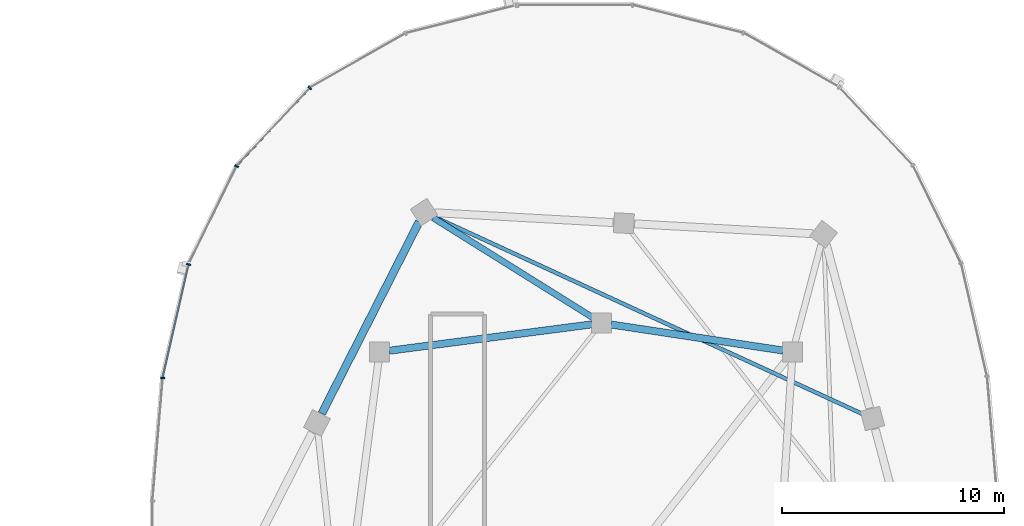
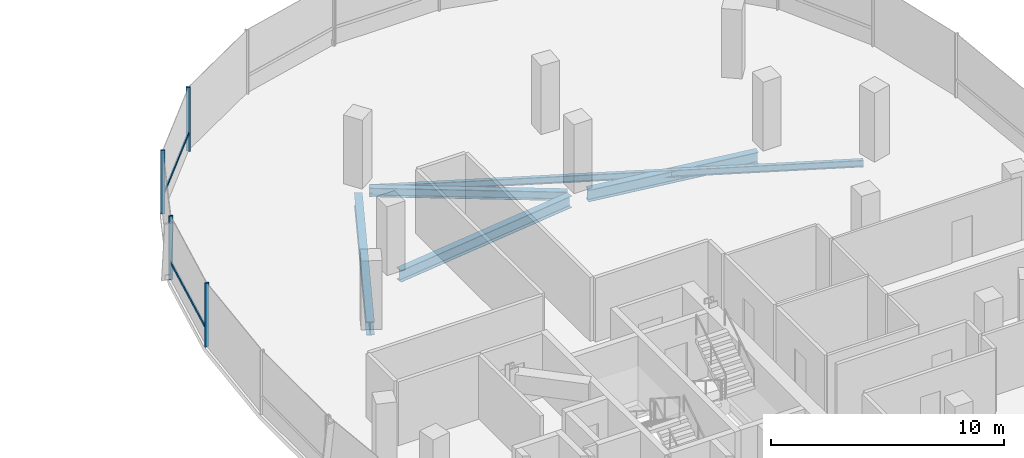
# One storey, part 11 of 25: 6 members, 5 beams, 1 element without a shape of its own.
"""IFC4 building model written with IfcOpenShell, lengths in metres."""

from ifc_helpers import new_model, si_unit, direction, frame, origin, origin_2d, place, context, subcontext, project, spatial, rectangle, i_section, extrude, material, material_profile, profile_set, type_object, element, aggregate, save


model = new_model("IFC4")

# Units and contexts
model_context = context("Model", 3, precision=1e-05, world=origin(), true_north=direction((0.0, 1.0)))
body_context = subcontext(model_context, "Body", "Model", "MODEL_VIEW")
ifc_project = project(units=[si_unit("LENGTHUNIT", "METRE"), si_unit("AREAUNIT", "SQUARE_METRE"), si_unit("VOLUMEUNIT", "CUBIC_METRE"), si_unit("PLANEANGLEUNIT", "RADIAN"), si_unit("MASSUNIT", "GRAM", prefix="KILO"), si_unit("THERMODYNAMICTEMPERATUREUNIT", "KELVIN"), si_unit("POWERUNIT", "WATT")], contexts=[model_context])

# Site, building, storey
site_placement = place(None, origin())
site = spatial("IfcSite", under=ifc_project, at=site_placement, CompositionType="ELEMENT")
building_placement = place(site_placement, origin())
building = spatial("IfcBuilding", under=site, at=building_placement, Name="Cundina Bronze Exchange", CompositionType="ELEMENT")
storey_placement = place(building_placement, frame((0.0, 0.0, 191.800048828125)))
storey = spatial("IfcBuildingStorey", under=building, at=storey_placement, Name="L50", CompositionType="ELEMENT", Elevation=191.800048828125)

# Beams
ifc_material_1 = material(Name="Steel ASTM A992 Grade 50", Category="steel")
ifc_material_profile_1 = material_profile(ifc_material_1, i_section(OverallWidth=0.280029296875, OverallDepth=0.462890625, WebThickness=0.0107421875, FlangeThickness=0.017333984375, FilletRadius=0.011962890625, at=origin_2d()), Name="W18X76", Category="steel")
ifc_profile_set_1 = profile_set([ifc_material_profile_1], Name="Steel ASTM A992 Grade 50")
beam_type_1 = type_object("IfcBeamType", Name="BM-FLR-W18A", PredefinedType="BEAM", material=ifc_profile_set_1)
beam_1_placement = place(storey_placement, frame((32.82861328125, 11.031982421875, -0.491455078125), z_axis=(-0.847985407265, 0.530019574228, 0.0), x_axis=(-0.530019574228, -0.847985407265, 0.0)))
element("IfcBeam", 1, at=beam_1_placement, inside=storey, type_object=beam_type_1, Name="L50 Leg E Chordal Floor Beam 12", PredefinedType="BEAM", context=body_context, shape_type="SweptSolid", body=[
    extrude(i_section(OverallWidth=0.280029296875, OverallDepth=0.462890625, WebThickness=0.0107421875, FlangeThickness=0.017333984375, FilletRadius=0.011962890625, at=origin_2d()), origin(), (0.0, 0.0, 1.0), 8.50830078125),
])
ifc_material_profile_2 = material_profile(ifc_material_1, i_section(OverallWidth=0.172119140625, OverallDepth=0.35791015625, WebThickness=0.0078125, FlangeThickness=0.01318359375, FilletRadius=0.010009765625, at=origin_2d()), Name="W14X38", Category="steel")
ifc_profile_set_2 = profile_set([ifc_material_profile_2], Name="Steel ASTM A992 Grade 50")
beam_type_2 = type_object("IfcBeamType", Name="BM-JST-W14", PredefinedType="JOIST", material=ifc_profile_set_2)
beam_2_placement = place(storey_placement, frame((44.956787109375, 6.7041015625, -0.43896484375), z_axis=(-0.908353865734, 0.418202408655, 0.0), x_axis=(-0.418202408655, -0.908353865734, 0.0)))
element("IfcBeam", 2, at=beam_2_placement, inside=storey, type_object=beam_type_2, Name="L50 Leg E Lobe Floor Joist 09-12", PredefinedType="JOIST", context=body_context, shape_type="SweptSolid", body=[
    extrude(i_section(OverallWidth=0.172119140625, OverallDepth=0.35791015625, WebThickness=0.0078125, FlangeThickness=0.01318359375, FilletRadius=0.010009765625, at=origin_2d()), origin(), (0.0, 0.0, 1.0), 21.261962890625),
])
ifc_material_profile_3 = material_profile(ifc_material_1, i_section(OverallWidth=0.324951171875, OverallDepth=0.615966796875, WebThickness=0.013916015625, FlangeThickness=0.021484375, FilletRadius=0.01611328125, at=origin_2d()), Name="W24X117", Category="steel")
ifc_profile_set_3 = profile_set([ifc_material_profile_3], Name="Steel ASTM A992 Grade 50")
beam_type_3 = type_object("IfcBeamType", Name="BM-RING-W24", PredefinedType="USERDEFINED", material=ifc_profile_set_3)
beam_3_placement = place(storey_placement, frame((41.366943359375, 9.5654296875, -0.568115234375), z_axis=(-0.988764903598, 0.149478979839, 0.0), x_axis=(-0.149478979839, -0.988764903598, 0.0)))
element("IfcBeam", 3, at=beam_3_placement, inside=storey, type_object=beam_type_3, Name="L50 E Inner Structural Ring Girder 05", ObjectType="GIRDER", PredefinedType="USERDEFINED", context=body_context, shape_type="SweptSolid", body=[
    extrude(i_section(OverallWidth=0.324951171875, OverallDepth=0.615966796875, WebThickness=0.013916015625, FlangeThickness=0.021484375, FilletRadius=0.01611328125, at=origin_2d()), origin(), (0.0, 0.0, 1.0), 7.82177734375),
])
beam_4_placement = place(storey_placement, frame((32.765625, 10.743408203125, -0.568115234375), z_axis=(-0.991656498582, -0.128908451316, 0.0), x_axis=(0.128908451316, -0.991656498582, 0.0)))
element("IfcBeam", 4, at=beam_4_placement, inside=storey, type_object=beam_type_3, Name="L50 E Inner Structural Ring Girder 06", ObjectType="GIRDER", PredefinedType="USERDEFINED", context=body_context, shape_type="SweptSolid", body=[
    extrude(i_section(OverallWidth=0.324951171875, OverallDepth=0.615966796875, WebThickness=0.013916015625, FlangeThickness=0.021484375, FilletRadius=0.01611328125, at=origin_2d()), origin(), (0.0, 0.0, 1.0), 9.208251953125),
])
ifc_material_profile_4 = material_profile(ifc_material_1, i_section(OverallWidth=0.35498046875, OverallDepth=0.695068359375, WebThickness=0.015380859375, FlangeThickness=0.02490234375, FilletRadius=0.01806640625, at=origin_2d()), Name="W27X146", Category="steel")
ifc_profile_set_4 = profile_set([ifc_material_profile_4], Name="Steel ASTM A992 Grade 50")
beam_type_4 = type_object("IfcBeamType", Name="BM-RING-W27", PredefinedType="USERDEFINED", material=ifc_profile_set_4)
beam_5_placement = place(storey_placement, frame((24.97900390625, 15.364990234375, -0.607666015625), z_axis=(-0.452834585354, -0.891594548159, 0.0), x_axis=(0.891594548159, -0.452834585354, 0.0)))
element("IfcBeam", 5, at=beam_5_placement, inside=storey, type_object=beam_type_4, Name="L50 E Perimeter Ring Girder 12", ObjectType="GIRDER", PredefinedType="USERDEFINED", context=body_context, shape_type="SweptSolid", body=[
    extrude(i_section(OverallWidth=0.35498046875, OverallDepth=0.695068359375, WebThickness=0.015380859375, FlangeThickness=0.02490234375, FilletRadius=0.01806640625, at=origin_2d()), origin(), (0.0, 0.0, 1.0), 9.67919921875),
])

# Curtain wall, members
ifc_material_2 = material(Name="Anodised Bronze Aluminium 6063-T6", Category="aluminium")
curtain_wall_type = type_object("IfcCurtainWallType", Name="CWS-UPP-OFF", PredefinedType="NOTDEFINED", material=ifc_material_2)
curtain_wall_placement = place(storey_placement, origin())
curtain_wall = element("IfcCurtainWall", 6, at=curtain_wall_placement, inside=storey, type_object=curtain_wall_type, Name="L50 CW-05 Curtain Wall Run CWR-L50-E2", PredefinedType="NOTDEFINED")
ifc_material_profile_5 = material_profile(ifc_material_2, rectangle(XDim=0.070068359375, YDim=0.18994140625, at=origin_2d()), Name="AL70X190", Category="aluminium")
ifc_profile_set_5 = profile_set([ifc_material_profile_5], Name="Anodised Bronze Aluminium 6063-T6")
member_type_1 = type_object("IfcMemberType", Name="CWM-MUL-190", PredefinedType="MULLION", material=ifc_profile_set_5)
member_1_placement = place(storey_placement, frame((20.05126953125, 21.392578125, 0.0), z_axis=(0.0, 0.0, 1.0), x_axis=(-0.684292606175, -0.729207535023, 0.0)))
member_1 = element("IfcMember", 7, at=member_1_placement, type_object=member_type_1, Name="CW-05 Mullion 3", PredefinedType="MULLION", context=body_context, shape_type="SweptSolid", body=[
    extrude(rectangle(XDim=0.070068359375, YDim=0.18994140625, at=origin_2d()), origin(), (0.0, 0.0, 1.0), 3.33984375),
])
member_2_placement = place(storey_placement, frame((16.754638671875, 17.866455078125, 0.0), z_axis=(0.0, 0.0, 1.0), x_axis=(-0.440566004113, -0.897720221461, 0.0)))
member_2 = element("IfcMember", 8, at=member_2_placement, type_object=member_type_1, Name="CW-05 Mullion 4", PredefinedType="MULLION", context=body_context, shape_type="SweptSolid", body=[
    extrude(rectangle(XDim=0.070068359375, YDim=0.18994140625, at=origin_2d()), origin(), (0.0, 0.0, 1.0), 3.33984375),
])
member_3_placement = place(storey_placement, frame((14.59228515625, 13.440673828125, 0.0), z_axis=(0.0, 0.0, 1.0), x_axis=(-0.223250116011, -0.974761194191, 0.0)))
member_3 = element("IfcMember", 9, at=member_3_placement, type_object=member_type_1, Name="CW-05 Mullion 5", PredefinedType="MULLION", context=body_context, shape_type="SweptSolid", body=[
    extrude(rectangle(XDim=0.070068359375, YDim=0.18994140625, at=origin_2d()), origin(), (0.0, 0.0, 1.0), 3.33984375),
])
member_4_placement = place(storey_placement, frame((13.427490234375, 8.33056640625, 0.0), z_axis=(0.0, 0.0, 1.0), x_axis=(-0.083677843332, -0.99649285925, 0.0)))
member_4 = element("IfcMember", 10, at=member_4_placement, type_object=member_type_1, Name="CW-05 Mullion 6", PredefinedType="MULLION", context=body_context, shape_type="SweptSolid", body=[
    extrude(rectangle(XDim=0.070068359375, YDim=0.18994140625, at=origin_2d()), origin(), (0.0, 0.0, 1.0), 3.33984375),
])
ifc_material_profile_6 = material_profile(ifc_material_2, rectangle(XDim=0.06494140625, YDim=0.14990234375, at=origin_2d()), Name="AL65X150", Category="aluminium")
ifc_profile_set_6 = profile_set([ifc_material_profile_6], Name="Anodised Bronze Aluminium 6063-T6")
member_type_2 = type_object("IfcMemberType", Name="CWM-TRN-150", PredefinedType="USERDEFINED", material=ifc_profile_set_6)
member_5_placement = place(storey_placement, frame((20.02490234375, 21.364501953125, 0.919921875), z_axis=(-0.684336416554, -0.729166420633, 0.0), x_axis=(0.729166420633, -0.684336416554, 0.0)))
member_5 = element("IfcMember", 11, at=member_5_placement, type_object=member_type_2, Name="CW-05 Spandrel Transom 3", ObjectType="TRANSOM", PredefinedType="USERDEFINED", context=body_context, shape_type="SweptSolid", body=[
    extrude(rectangle(XDim=0.06494140625, YDim=0.14990234375, at=origin_2d()), origin(), (0.0, 0.0, 1.0), 4.76513671875),
])
member_6_placement = place(storey_placement, frame((14.58349609375, 13.403076171875, 0.919921875), z_axis=(-0.22328343579, -0.974753562344, 0.0), x_axis=(0.974753562344, -0.22328343579, 0.0)))
member_6 = element("IfcMember", 12, at=member_6_placement, type_object=member_type_2, Name="CW-05 Spandrel Transom 5", ObjectType="TRANSOM", PredefinedType="USERDEFINED", context=body_context, shape_type="SweptSolid", body=[
    extrude(rectangle(XDim=0.06494140625, YDim=0.14990234375, at=origin_2d()), origin(), (0.0, 0.0, 1.0), 5.159912109375),
])
aggregate(curtain_wall, [member_1, member_5, member_2, member_3, member_6, member_4])

save(model, "model.ifc")
